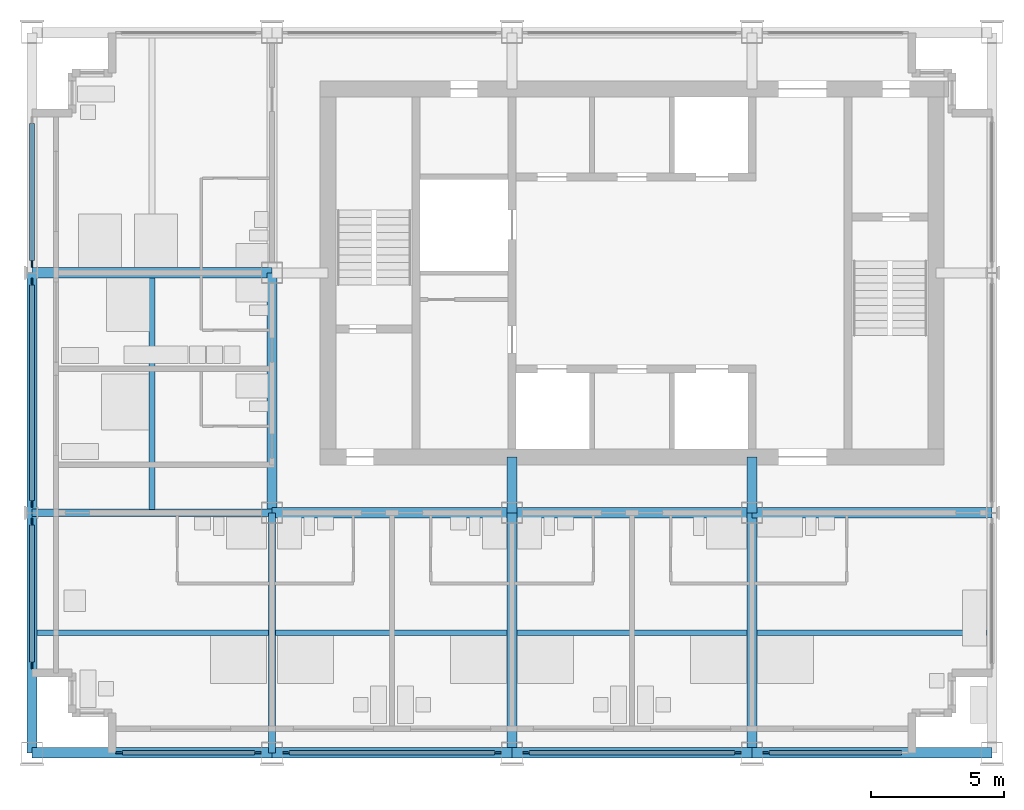
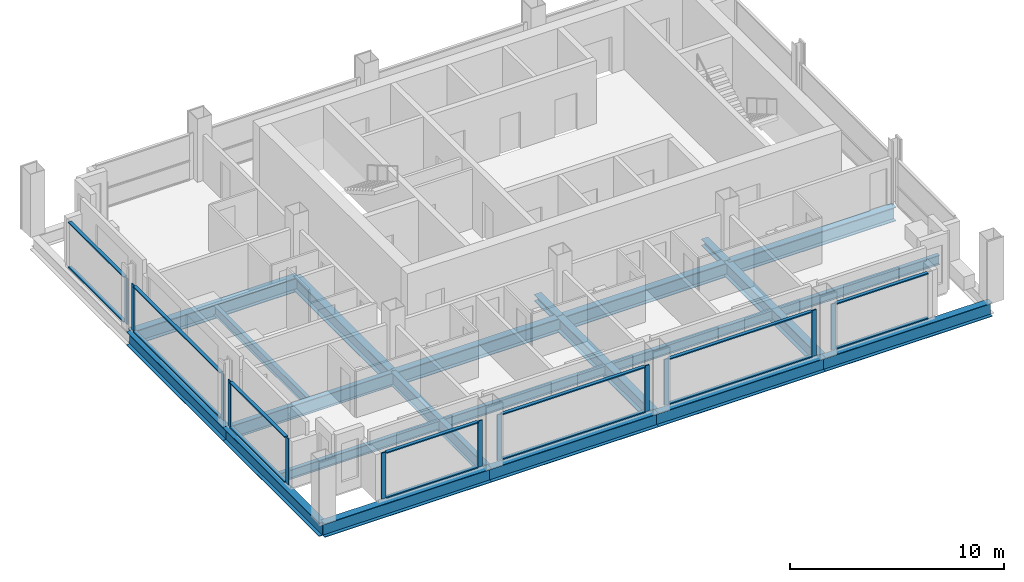
# One storey, part 2 of 12: 28 members, 20 beams, 7 elements without a shape of their own.
"""IFC4 building model written with IfcOpenShell, lengths in metres."""

from ifc_helpers import new_model, si_unit, direction, frame, origin, origin_2d, place, context, subcontext, project, spatial, rectangle, i_section, extrude, material, material_profile, profile_set, type_object, element, aggregate, save


model = new_model("IFC4")

# Units and contexts
model_context = context("Model", 3, precision=1e-05, world=origin(), true_north=direction((0.0, 1.0)))
body_context = subcontext(model_context, "Body", "Model", "MODEL_VIEW")
ifc_project = project(units=[si_unit("LENGTHUNIT", "METRE"), si_unit("AREAUNIT", "SQUARE_METRE"), si_unit("VOLUMEUNIT", "CUBIC_METRE"), si_unit("PLANEANGLEUNIT", "RADIAN"), si_unit("MASSUNIT", "GRAM", prefix="KILO")], contexts=[model_context])

# Site, building, storey
site_placement = place(None, origin())
site = spatial("IfcSite", under=ifc_project, at=site_placement, CompositionType="ELEMENT")
building_placement = place(site_placement, origin())
building = spatial("IfcBuilding", under=site, at=building_placement, Name="Loomwork Tower", CompositionType="ELEMENT")
storey_placement = place(building_placement, frame((0.0, 0.0, 251.800048828125)))
storey = spatial("IfcBuildingStorey", under=building, at=storey_placement, Name="L69", CompositionType="ELEMENT", Elevation=251.800048828125)

# Beams
ifc_material_1 = material(Name="Steel ASTM A992", Category="steel")
ifc_material_profile_1 = material_profile(ifc_material_1, i_section(OverallWidth=0.383544921875, OverallDepth=0.794921875, WebThickness=0.02099609375, FlangeThickness=0.0380859375, at=origin_2d()), Name="W30x235")
ifc_profile_set_1 = profile_set([ifc_material_profile_1], Name="Steel ASTM A992")
beam_type_1 = type_object("IfcBeamType", Name="CORE FLANK GIRDER W30x235", PredefinedType="BEAM", material=ifc_profile_set_1)
for number, where, z_axis, x_axis, name in (
    (1, (9.0, 9.0, -0.59765625), (1.0, 0.0, 0.0), (0.0, 1.0, 0.0), "Core Flank Girder E/3-E/4 L69"),
    (2, (18.0, 9.0, -0.59765625), (1.0, 0.0, 0.0), (0.0, 1.0, 0.0), "Core Flank Girder E/4-E/5 L69"),
    (3, (27.0, 9.0, -0.59765625), (1.0, 0.0, 0.0), (0.0, 1.0, 0.0), "Core Flank Girder E/5-E/6 L69"),
    (4, (0.0, 18.0, -0.59765625), (1.0, 0.0, 0.0), (0.0, 1.0, 0.0), "Core Flank Girder F/2-F/3 L69"),
    (5, (9.0, 9.0, -0.59765625), (0.0, 1.0, 0.0), (-1.0, 0.0, 0.0), "Core Flank Girder E/3-F/3 L69"),
    (6, (18.0, 0.0, -0.59765625), (0.0, 1.0, 0.0), (-1.0, 0.0, 0.0), "Core Flank Girder D/4-E/4 L69"),
    (7, (27.0, 0.0, -0.59765625), (0.0, 1.0, 0.0), (-1.0, 0.0, 0.0), "Core Flank Girder D/5-E/5 L69"),
):
    element("IfcBeam", number, at=place(storey_placement, frame(where, z_axis=z_axis, x_axis=x_axis)), inside=storey, type_object=beam_type_1, Name=name, PredefinedType="BEAM", context=body_context, shape_type="SweptSolid", body=[
        extrude(i_section(OverallWidth=0.383544921875, OverallDepth=0.794921875, WebThickness=0.02099609375, FlangeThickness=0.0380859375, at=origin_2d()), origin(), (0.0, 0.0, 1.0), 9.0),
    ])

# Members
ifc_material_2 = material(Name="Steel ASTM A992", Category="steel")
ifc_material_profile_2 = material_profile(ifc_material_2, i_section(OverallWidth=0.373291015625, OverallDepth=0.373291015625, WebThickness=0.016357421875, FlangeThickness=0.026123046875, at=origin_2d()), Name="W14x132")
ifc_profile_set_2 = profile_set([ifc_material_profile_2], Name="Steel ASTM A992")
member_type_1 = type_object("IfcMemberType", Name="CORE LINK STRUT W14x132", PredefinedType="STRUT", material=ifc_profile_set_2)
for number, where, z_axis, x_axis, name in (
    (8, (18.0, 9.0, -0.38671875), (0.0, 1.0, 0.0), (-1.0, 0.0, 0.0), "Core link strut E/4-18.000,11.100 L69"),
    (9, (27.0, 9.0, -0.38671875), (0.0, 1.0, 0.0), (-1.0, 0.0, 0.0), "Core link strut E/5-27.000,11.100 L69"),
):
    element("IfcMember", number, at=place(storey_placement, frame(where, z_axis=z_axis, x_axis=x_axis)), inside=storey, type_object=member_type_1, Name=name, PredefinedType="STRUT", context=body_context, shape_type="SweptSolid", body=[
        extrude(i_section(OverallWidth=0.373291015625, OverallDepth=0.373291015625, WebThickness=0.016357421875, FlangeThickness=0.026123046875, at=origin_2d()), origin(), (0.0, 0.0, 1.0), 2.10009765625),
    ])

# Beams
ifc_material_3 = material(Name="Steel ASTM A992", Category="steel")
ifc_material_profile_3 = material_profile(ifc_material_3, i_section(OverallWidth=0.2666015625, OverallDepth=0.761962890625, WebThickness=0.014404296875, FlangeThickness=0.021484375, at=origin_2d()), Name="W30x116")
ifc_profile_set_3 = profile_set([ifc_material_profile_3], Name="Steel ASTM A992")
beam_type_2 = type_object("IfcBeamType", Name="FLOOR GIRDER W30x116", PredefinedType="BEAM", material=ifc_profile_set_3)
for number, where, z_axis, x_axis, name in (
    (10, (0.0, 9.0, -0.5810546875), (1.0, 0.0, 0.0), (0.0, 1.0, 0.0), "Floor Girder E/2-E/3 L69"),
    (11, (9.0, 0.0, -0.5810546875), (0.0, 1.0, 0.0), (-1.0, 0.0, 0.0), "Floor Girder D/3-E/3 L69"),
):
    element("IfcBeam", number, at=place(storey_placement, frame(where, z_axis=z_axis, x_axis=x_axis)), inside=storey, type_object=beam_type_2, Name=name, PredefinedType="BEAM", context=body_context, shape_type="SweptSolid", body=[
        extrude(i_section(OverallWidth=0.2666015625, OverallDepth=0.761962890625, WebThickness=0.014404296875, FlangeThickness=0.021484375, at=origin_2d()), origin(), (0.0, 0.0, 1.0), 9.0),
    ])
ifc_material_4 = material(Name="Steel ASTM A992", Category="steel")
ifc_material_profile_4 = material_profile(ifc_material_4, i_section(OverallWidth=0.2109375, OverallDepth=0.53857421875, WebThickness=0.011474609375, FlangeThickness=0.018798828125, at=origin_2d()), Name="W21x73")
ifc_profile_set_4 = profile_set([ifc_material_profile_4], Name="Steel ASTM A992")
beam_type_3 = type_object("IfcBeamType", Name="FLOOR JOIST W21x73", PredefinedType="JOIST", material=ifc_profile_set_4)
beam_1_placement = place(storey_placement, frame((0.18994140625, 4.5, -0.46923828125), z_axis=(1.0, 0.0, 0.0), x_axis=(0.0, 1.0, 0.0)))
element("IfcBeam", 12, at=beam_1_placement, inside=storey, type_object=beam_type_3, Name="Floor Joist 0.000,4.500-9.000,4.500 L69", PredefinedType="JOIST", context=body_context, shape_type="SweptSolid", body=[
    extrude(i_section(OverallWidth=0.2109375, OverallDepth=0.53857421875, WebThickness=0.011474609375, FlangeThickness=0.018798828125, at=origin_2d()), origin(), (0.0, 0.0, 1.0), 8.677001953125),
])
for number, where, z_axis, x_axis, name in (
    (13, (4.5, 9.133056640625, -0.46923828125), (0.0, 1.0, 0.0), (-1.0, 0.0, 0.0), "Floor Joist 4.500,9.000-4.500,18.000 L69"),
    (14, (9.133056640625, 4.5, -0.46923828125), (1.0, 0.0, 0.0), (0.0, 1.0, 0.0), "Floor Joist 9.000,4.500-18.000,4.500 L69"),
):
    element("IfcBeam", number, at=place(storey_placement, frame(where, z_axis=z_axis, x_axis=x_axis)), inside=storey, type_object=beam_type_3, Name=name, PredefinedType="JOIST", context=body_context, shape_type="SweptSolid", body=[
        extrude(i_section(OverallWidth=0.2109375, OverallDepth=0.53857421875, WebThickness=0.011474609375, FlangeThickness=0.018798828125, at=origin_2d()), origin(), (0.0, 0.0, 1.0), 8.676025390625),
    ])
beam_2_placement = place(storey_placement, frame((18.19091796875, 4.5, -0.46923828125), z_axis=(1.0, 0.0, 0.0), x_axis=(0.0, 1.0, 0.0)))
element("IfcBeam", 15, at=beam_2_placement, inside=storey, type_object=beam_type_3, Name="Floor Joist 18.000,4.500-27.000,4.500 L69", PredefinedType="JOIST", context=body_context, shape_type="SweptSolid", body=[
    extrude(i_section(OverallWidth=0.2109375, OverallDepth=0.53857421875, WebThickness=0.011474609375, FlangeThickness=0.018798828125, at=origin_2d()), origin(), (0.0, 0.0, 1.0), 8.6181640625),
])
beam_3_placement = place(storey_placement, frame((27.19091796875, 4.5, -0.46923828125), z_axis=(1.0, 0.0, 0.0), x_axis=(0.0, 1.0, 0.0)))
element("IfcBeam", 16, at=beam_3_placement, inside=storey, type_object=beam_type_3, Name="Floor Joist 27.000,4.500-36.000,4.500 L69", PredefinedType="JOIST", context=body_context, shape_type="SweptSolid", body=[
    extrude(i_section(OverallWidth=0.2109375, OverallDepth=0.53857421875, WebThickness=0.011474609375, FlangeThickness=0.018798828125, at=origin_2d()), origin(), (0.0, 0.0, 1.0), 8.619140625),
])

# Curtain wall, members
ifc_material_5 = material(Name="Aluminium curtain wall frame", Category="aluminium")
curtain_wall_type = type_object("IfcCurtainWallType", Name="Outer skin glazing suites", PredefinedType="NOTDEFINED", material=ifc_material_5)
curtain_wall_1_placement = place(storey_placement, origin())
curtain_wall_1 = element("IfcCurtainWall", 17, at=curtain_wall_1_placement, inside=storey, type_object=curtain_wall_type, Name="Outer skin glazing suites cw/S-0", PredefinedType="NOTDEFINED")
ifc_material_6 = material(Name="Aluminium curtain wall frame", Category="aluminium")
ifc_material_profile_5 = material_profile(ifc_material_6, rectangle(XDim=0.06494140625, YDim=0.25, at=origin_2d()), Name="AL 65x250")
ifc_profile_set_5 = profile_set([ifc_material_profile_5], Name="Aluminium curtain wall frame")
member_type_2 = type_object("IfcMemberType", Name="Outer skin glazing suites mullion", PredefinedType="MULLION", material=ifc_profile_set_5)
member_1_placement = place(storey_placement, frame((3.27490234375, 0.0, 0.0), z_axis=(0.0, 0.0, 1.0), x_axis=(0.0, 1.0, 0.0)))
member_1 = element("IfcMember", 18, at=member_1_placement, type_object=member_type_2, Name="CW2 mullion 1", PredefinedType="MULLION", context=body_context, shape_type="SweptSolid", body=[
    extrude(rectangle(XDim=0.06494140625, YDim=0.25, at=origin_2d()), origin(), (0.0, 0.0, 1.0), 2.6201171875),
])
member_2_placement = place(storey_placement, frame((8.47509765625, 0.0, 0.0), z_axis=(0.0, 0.0, 1.0), x_axis=(0.0, 1.0, 0.0)))
member_2 = element("IfcMember", 19, at=member_2_placement, type_object=member_type_2, Name="CW2 mullion 2", PredefinedType="MULLION", context=body_context, shape_type="SweptSolid", body=[
    extrude(rectangle(XDim=0.06494140625, YDim=0.25, at=origin_2d()), origin(), (0.0, 0.0, 1.0), 2.6201171875),
])

curtain_wall_2_placement = place(storey_placement, origin())
curtain_wall_2 = element("IfcCurtainWall", 20, at=curtain_wall_2_placement, inside=storey, type_object=curtain_wall_type, Name="Outer skin glazing suites cw/S-9", PredefinedType="NOTDEFINED")
member_3_placement = place(storey_placement, frame((9.52490234375, 0.0, 0.0), z_axis=(0.0, 0.0, 1.0), x_axis=(0.0, 1.0, 0.0)))
member_3 = element("IfcMember", 21, at=member_3_placement, type_object=member_type_2, Name="CW2 mullion 1", PredefinedType="MULLION", context=body_context, shape_type="SweptSolid", body=[
    extrude(rectangle(XDim=0.06494140625, YDim=0.25, at=origin_2d()), origin(), (0.0, 0.0, 1.0), 2.6201171875),
])
member_4_placement = place(storey_placement, frame((17.47509765625, 0.0, 0.0), z_axis=(0.0, 0.0, 1.0), x_axis=(0.0, 1.0, 0.0)))
member_4 = element("IfcMember", 22, at=member_4_placement, type_object=member_type_2, Name="CW2 mullion 2", PredefinedType="MULLION", context=body_context, shape_type="SweptSolid", body=[
    extrude(rectangle(XDim=0.06494140625, YDim=0.25, at=origin_2d()), origin(), (0.0, 0.0, 1.0), 2.6201171875),
])

curtain_wall_3_placement = place(storey_placement, origin())
curtain_wall_3 = element("IfcCurtainWall", 23, at=curtain_wall_3_placement, inside=storey, type_object=curtain_wall_type, Name="Outer skin glazing suites cw/S-18", PredefinedType="NOTDEFINED")
member_5_placement = place(storey_placement, frame((18.52490234375, 0.0, 0.0), z_axis=(0.0, 0.0, 1.0), x_axis=(0.0, 1.0, 0.0)))
member_5 = element("IfcMember", 24, at=member_5_placement, type_object=member_type_2, Name="CW2 mullion 1", PredefinedType="MULLION", context=body_context, shape_type="SweptSolid", body=[
    extrude(rectangle(XDim=0.06494140625, YDim=0.25, at=origin_2d()), origin(), (0.0, 0.0, 1.0), 2.6201171875),
])
member_6_placement = place(storey_placement, frame((26.47509765625, 0.0, 0.0), z_axis=(0.0, 0.0, 1.0), x_axis=(0.0, 1.0, 0.0)))
member_6 = element("IfcMember", 25, at=member_6_placement, type_object=member_type_2, Name="CW2 mullion 2", PredefinedType="MULLION", context=body_context, shape_type="SweptSolid", body=[
    extrude(rectangle(XDim=0.06494140625, YDim=0.25, at=origin_2d()), origin(), (0.0, 0.0, 1.0), 2.6201171875),
])

# Curtain wall, member
curtain_wall_4_placement = place(storey_placement, origin())
curtain_wall_4 = element("IfcCurtainWall", 26, at=curtain_wall_4_placement, inside=storey, type_object=curtain_wall_type, Name="Outer skin glazing suites cw/S-27", PredefinedType="NOTDEFINED")
member_7_placement = place(storey_placement, frame((27.52490234375, 0.0, 0.0), z_axis=(0.0, 0.0, 1.0), x_axis=(0.0, 1.0, 0.0)))
member_7 = element("IfcMember", 27, at=member_7_placement, type_object=member_type_2, Name="CW2 mullion 1", PredefinedType="MULLION", context=body_context, shape_type="SweptSolid", body=[
    extrude(rectangle(XDim=0.06494140625, YDim=0.25, at=origin_2d()), origin(), (0.0, 0.0, 1.0), 2.6201171875),
])

# Curtain wall, members
curtain_wall_5_placement = place(storey_placement, origin())
curtain_wall_5 = element("IfcCurtainWall", 28, at=curtain_wall_5_placement, inside=storey, type_object=curtain_wall_type, Name="Outer skin glazing suites cw/W-0", PredefinedType="NOTDEFINED")
member_8_placement = place(storey_placement, frame((0.0, 8.666748046875, 0.0), z_axis=(0.0, 0.0, 1.0), x_axis=(1.0, 0.0, 0.0)))
member_8 = element("IfcMember", 29, at=member_8_placement, type_object=member_type_2, Name="CW2 mullion 1", PredefinedType="MULLION", context=body_context, shape_type="SweptSolid", body=[
    extrude(rectangle(XDim=0.06494140625, YDim=0.25, at=origin_2d()), origin(), (0.0, 0.0, 1.0), 2.6201171875),
])
member_9_placement = place(storey_placement, frame((0.0, 3.27490234375, 0.0), z_axis=(0.0, 0.0, 1.0), x_axis=(1.0, 0.0, 0.0)))
member_9 = element("IfcMember", 30, at=member_9_placement, type_object=member_type_2, Name="CW2 mullion 2", PredefinedType="MULLION", context=body_context, shape_type="SweptSolid", body=[
    extrude(rectangle(XDim=0.06494140625, YDim=0.25, at=origin_2d()), origin(), (0.0, 0.0, 1.0), 2.6201171875),
])

curtain_wall_6_placement = place(storey_placement, origin())
curtain_wall_6 = element("IfcCurtainWall", 31, at=curtain_wall_6_placement, inside=storey, type_object=curtain_wall_type, Name="Outer skin glazing suites cw/W-9", PredefinedType="NOTDEFINED")
member_10_placement = place(storey_placement, frame((0.0, 17.666748046875, 0.0), z_axis=(0.0, 0.0, 1.0), x_axis=(1.0, 0.0, 0.0)))
member_10 = element("IfcMember", 32, at=member_10_placement, type_object=member_type_2, Name="CW2 mullion 1", PredefinedType="MULLION", context=body_context, shape_type="SweptSolid", body=[
    extrude(rectangle(XDim=0.06494140625, YDim=0.25, at=origin_2d()), origin(), (0.0, 0.0, 1.0), 2.6201171875),
])
member_11_placement = place(storey_placement, frame((0.0, 9.333251953125, 0.0), z_axis=(0.0, 0.0, 1.0), x_axis=(1.0, 0.0, 0.0)))
member_11 = element("IfcMember", 33, at=member_11_placement, type_object=member_type_2, Name="CW2 mullion 2", PredefinedType="MULLION", context=body_context, shape_type="SweptSolid", body=[
    extrude(rectangle(XDim=0.06494140625, YDim=0.25, at=origin_2d()), origin(), (0.0, 0.0, 1.0), 2.6201171875),
])

# Curtain wall, member
curtain_wall_7_placement = place(storey_placement, origin())
curtain_wall_7 = element("IfcCurtainWall", 34, at=curtain_wall_7_placement, inside=storey, type_object=curtain_wall_type, Name="Outer skin glazing suites cw/W-18", PredefinedType="NOTDEFINED")
member_12_placement = place(storey_placement, frame((0.0, 18.333251953125, 0.0), z_axis=(0.0, 0.0, 1.0), x_axis=(1.0, 0.0, 0.0)))
member_12 = element("IfcMember", 35, at=member_12_placement, type_object=member_type_2, Name="CW2 mullion 2", PredefinedType="MULLION", context=body_context, shape_type="SweptSolid", body=[
    extrude(rectangle(XDim=0.06494140625, YDim=0.25, at=origin_2d()), origin(), (0.0, 0.0, 1.0), 2.6201171875),
])

# Member
ifc_material_7 = material(Name="Aluminium curtain wall frame", Category="aluminium")
ifc_material_profile_6 = material_profile(ifc_material_7, rectangle(XDim=0.179931640625, YDim=0.06494140625, at=origin_2d()), Name="AL 65x180")
ifc_profile_set_6 = profile_set([ifc_material_profile_6], Name="Aluminium curtain wall frame")
member_type_3 = type_object("IfcMemberType", Name="Outer skin glazing suites transom", PredefinedType="USERDEFINED", material=ifc_profile_set_6)
member_13_placement = place(storey_placement, frame((3.39990234375, 0.0, 0.032470703125), z_axis=(1.0, 0.0, 0.0), x_axis=(0.0, 1.0, 0.0)))
member_13 = element("IfcMember", 36, at=member_13_placement, type_object=member_type_3, Name="CW2 transom 1.1", ObjectType="TRANSOM", PredefinedType="USERDEFINED", context=body_context, shape_type="SweptSolid", body=[
    extrude(rectangle(XDim=0.179931640625, YDim=0.06494140625, at=origin_2d()), origin(), (0.0, 0.0, 1.0), 4.9501953125),
])

member_14_placement = place(storey_placement, frame((3.39990234375, 0.0, 2.587646484375), z_axis=(1.0, 0.0, 0.0), x_axis=(0.0, 1.0, 0.0)))
member_14 = element("IfcMember", 37, at=member_14_placement, type_object=member_type_3, Name="CW2 transom 1.2", ObjectType="TRANSOM", PredefinedType="USERDEFINED", context=body_context, shape_type="SweptSolid", body=[
    extrude(rectangle(XDim=0.179931640625, YDim=0.06494140625, at=origin_2d()), origin(), (0.0, 0.0, 1.0), 4.9501953125),
])

aggregate(curtain_wall_1, [member_1, member_2, member_13, member_14])

member_15_placement = place(storey_placement, frame((9.64990234375, 0.0, 0.032470703125), z_axis=(1.0, 0.0, 0.0), x_axis=(0.0, 1.0, 0.0)))
member_15 = element("IfcMember", 38, at=member_15_placement, type_object=member_type_3, Name="CW2 transom 1.1", ObjectType="TRANSOM", PredefinedType="USERDEFINED", context=body_context, shape_type="SweptSolid", body=[
    extrude(rectangle(XDim=0.179931640625, YDim=0.06494140625, at=origin_2d()), origin(), (0.0, 0.0, 1.0), 7.7001953125),
])

member_16_placement = place(storey_placement, frame((9.64990234375, 0.0, 2.587646484375), z_axis=(1.0, 0.0, 0.0), x_axis=(0.0, 1.0, 0.0)))
member_16 = element("IfcMember", 39, at=member_16_placement, type_object=member_type_3, Name="CW2 transom 1.2", ObjectType="TRANSOM", PredefinedType="USERDEFINED", context=body_context, shape_type="SweptSolid", body=[
    extrude(rectangle(XDim=0.179931640625, YDim=0.06494140625, at=origin_2d()), origin(), (0.0, 0.0, 1.0), 7.7001953125),
])

aggregate(curtain_wall_2, [member_3, member_4, member_15, member_16])

member_17_placement = place(storey_placement, frame((18.64990234375, 0.0, 0.032470703125), z_axis=(1.0, 0.0, 0.0), x_axis=(0.0, 1.0, 0.0)))
member_17 = element("IfcMember", 40, at=member_17_placement, type_object=member_type_3, Name="CW2 transom 1.1", ObjectType="TRANSOM", PredefinedType="USERDEFINED", context=body_context, shape_type="SweptSolid", body=[
    extrude(rectangle(XDim=0.179931640625, YDim=0.06494140625, at=origin_2d()), origin(), (0.0, 0.0, 1.0), 7.7001953125),
])

member_18_placement = place(storey_placement, frame((18.64990234375, 0.0, 2.587646484375), z_axis=(1.0, 0.0, 0.0), x_axis=(0.0, 1.0, 0.0)))
member_18 = element("IfcMember", 41, at=member_18_placement, type_object=member_type_3, Name="CW2 transom 1.2", ObjectType="TRANSOM", PredefinedType="USERDEFINED", context=body_context, shape_type="SweptSolid", body=[
    extrude(rectangle(XDim=0.179931640625, YDim=0.06494140625, at=origin_2d()), origin(), (0.0, 0.0, 1.0), 7.7001953125),
])

aggregate(curtain_wall_3, [member_5, member_6, member_17, member_18])

member_19_placement = place(storey_placement, frame((27.64990234375, 0.0, 0.032470703125), z_axis=(1.0, 0.0, 0.0), x_axis=(0.0, 1.0, 0.0)))
member_19 = element("IfcMember", 42, at=member_19_placement, type_object=member_type_3, Name="CW2 transom 1.1", ObjectType="TRANSOM", PredefinedType="USERDEFINED", context=body_context, shape_type="SweptSolid", body=[
    extrude(rectangle(XDim=0.179931640625, YDim=0.06494140625, at=origin_2d()), origin(), (0.0, 0.0, 1.0), 4.9501953125),
])

member_20_placement = place(storey_placement, frame((27.64990234375, 0.0, 2.587646484375), z_axis=(1.0, 0.0, 0.0), x_axis=(0.0, 1.0, 0.0)))
member_20 = element("IfcMember", 43, at=member_20_placement, type_object=member_type_3, Name="CW2 transom 1.2", ObjectType="TRANSOM", PredefinedType="USERDEFINED", context=body_context, shape_type="SweptSolid", body=[
    extrude(rectangle(XDim=0.179931640625, YDim=0.06494140625, at=origin_2d()), origin(), (0.0, 0.0, 1.0), 4.9501953125),
])

aggregate(curtain_wall_4, [member_7, member_19, member_20])

member_21_placement = place(storey_placement, frame((0.0, 8.541748046875, 0.032470703125), z_axis=(0.0, -1.0, 0.0), x_axis=(1.0, 0.0, 0.0)))
member_21 = element("IfcMember", 44, at=member_21_placement, type_object=member_type_3, Name="CW2 transom 1.1", ObjectType="TRANSOM", PredefinedType="USERDEFINED", context=body_context, shape_type="SweptSolid", body=[
    extrude(rectangle(XDim=0.179931640625, YDim=0.06494140625, at=origin_2d()), origin(), (0.0, 0.0, 1.0), 5.141845703125),
])

member_22_placement = place(storey_placement, frame((0.0, 8.541748046875, 2.587646484375), z_axis=(0.0, -1.0, 0.0), x_axis=(1.0, 0.0, 0.0)))
member_22 = element("IfcMember", 45, at=member_22_placement, type_object=member_type_3, Name="CW2 transom 1.2", ObjectType="TRANSOM", PredefinedType="USERDEFINED", context=body_context, shape_type="SweptSolid", body=[
    extrude(rectangle(XDim=0.179931640625, YDim=0.06494140625, at=origin_2d()), origin(), (0.0, 0.0, 1.0), 5.141845703125),
])

aggregate(curtain_wall_5, [member_8, member_9, member_21, member_22])

member_23_placement = place(storey_placement, frame((0.0, 17.541748046875, 0.032470703125), z_axis=(0.0, -1.0, 0.0), x_axis=(1.0, 0.0, 0.0)))
member_23 = element("IfcMember", 46, at=member_23_placement, type_object=member_type_3, Name="CW2 transom 1.1", ObjectType="TRANSOM", PredefinedType="USERDEFINED", context=body_context, shape_type="SweptSolid", body=[
    extrude(rectangle(XDim=0.179931640625, YDim=0.06494140625, at=origin_2d()), origin(), (0.0, 0.0, 1.0), 8.08349609375),
])

member_24_placement = place(storey_placement, frame((0.0, 17.541748046875, 2.587646484375), z_axis=(0.0, -1.0, 0.0), x_axis=(1.0, 0.0, 0.0)))
member_24 = element("IfcMember", 47, at=member_24_placement, type_object=member_type_3, Name="CW2 transom 1.2", ObjectType="TRANSOM", PredefinedType="USERDEFINED", context=body_context, shape_type="SweptSolid", body=[
    extrude(rectangle(XDim=0.179931640625, YDim=0.06494140625, at=origin_2d()), origin(), (0.0, 0.0, 1.0), 8.08349609375),
])

aggregate(curtain_wall_6, [member_10, member_11, member_23, member_24])

member_25_placement = place(storey_placement, frame((0.0, 23.60009765625, 0.032470703125), z_axis=(0.0, -1.0, 0.0), x_axis=(1.0, 0.0, 0.0)))
member_25 = element("IfcMember", 48, at=member_25_placement, type_object=member_type_3, Name="CW2 transom 1.1", ObjectType="TRANSOM", PredefinedType="USERDEFINED", context=body_context, shape_type="SweptSolid", body=[
    extrude(rectangle(XDim=0.179931640625, YDim=0.06494140625, at=origin_2d()), origin(), (0.0, 0.0, 1.0), 5.141845703125),
])

member_26_placement = place(storey_placement, frame((0.0, 23.60009765625, 2.587646484375), z_axis=(0.0, -1.0, 0.0), x_axis=(1.0, 0.0, 0.0)))
member_26 = element("IfcMember", 49, at=member_26_placement, type_object=member_type_3, Name="CW2 transom 1.2", ObjectType="TRANSOM", PredefinedType="USERDEFINED", context=body_context, shape_type="SweptSolid", body=[
    extrude(rectangle(XDim=0.179931640625, YDim=0.06494140625, at=origin_2d()), origin(), (0.0, 0.0, 1.0), 5.141845703125),
])

aggregate(curtain_wall_7, [member_12, member_25, member_26])

# Beams
ifc_material_8 = material(Name="Steel ASTM A992", Category="steel")
ifc_material_profile_7 = material_profile(ifc_material_8, i_section(OverallWidth=0.381103515625, OverallDepth=0.77978515625, WebThickness=0.01806640625, FlangeThickness=0.0302734375, at=origin_2d()), Name="W30x191")
ifc_profile_set_7 = profile_set([ifc_material_profile_7], Name="Steel ASTM A992")
beam_type_4 = type_object("IfcBeamType", Name="SPANDREL GIRDER W30x191", PredefinedType="SPANDREL", material=ifc_profile_set_7)
for number, where, z_axis, x_axis, name in (
    (50, (0.0, 0.0, -0.58984375), (1.0, 0.0, 0.0), (0.0, 1.0, 0.0), "Spandrel Girder D/2-D/3 L69"),
    (51, (9.0, 0.0, -0.58984375), (1.0, 0.0, 0.0), (0.0, 1.0, 0.0), "Spandrel Girder D/3-D/4 L69"),
    (52, (18.0, 0.0, -0.58984375), (1.0, 0.0, 0.0), (0.0, 1.0, 0.0), "Spandrel Girder D/4-D/5 L69"),
    (53, (27.0, 0.0, -0.58984375), (1.0, 0.0, 0.0), (0.0, 1.0, 0.0), "Spandrel Girder D/5-D/6 L69"),
    (54, (0.0, 0.0, -0.58984375), (0.0, 1.0, 0.0), (-1.0, 0.0, 0.0), "Spandrel Girder D/2-E/2 L69"),
    (55, (0.0, 9.0, -0.58984375), (0.0, 1.0, 0.0), (-1.0, 0.0, 0.0), "Spandrel Girder E/2-F/2 L69"),
):
    element("IfcBeam", number, at=place(storey_placement, frame(where, z_axis=z_axis, x_axis=x_axis)), inside=storey, type_object=beam_type_4, Name=name, PredefinedType="SPANDREL", context=body_context, shape_type="SweptSolid", body=[
        extrude(i_section(OverallWidth=0.381103515625, OverallDepth=0.77978515625, WebThickness=0.01806640625, FlangeThickness=0.0302734375, at=origin_2d()), origin(), (0.0, 0.0, 1.0), 9.0),
    ])

save(model, "model.ifc")
